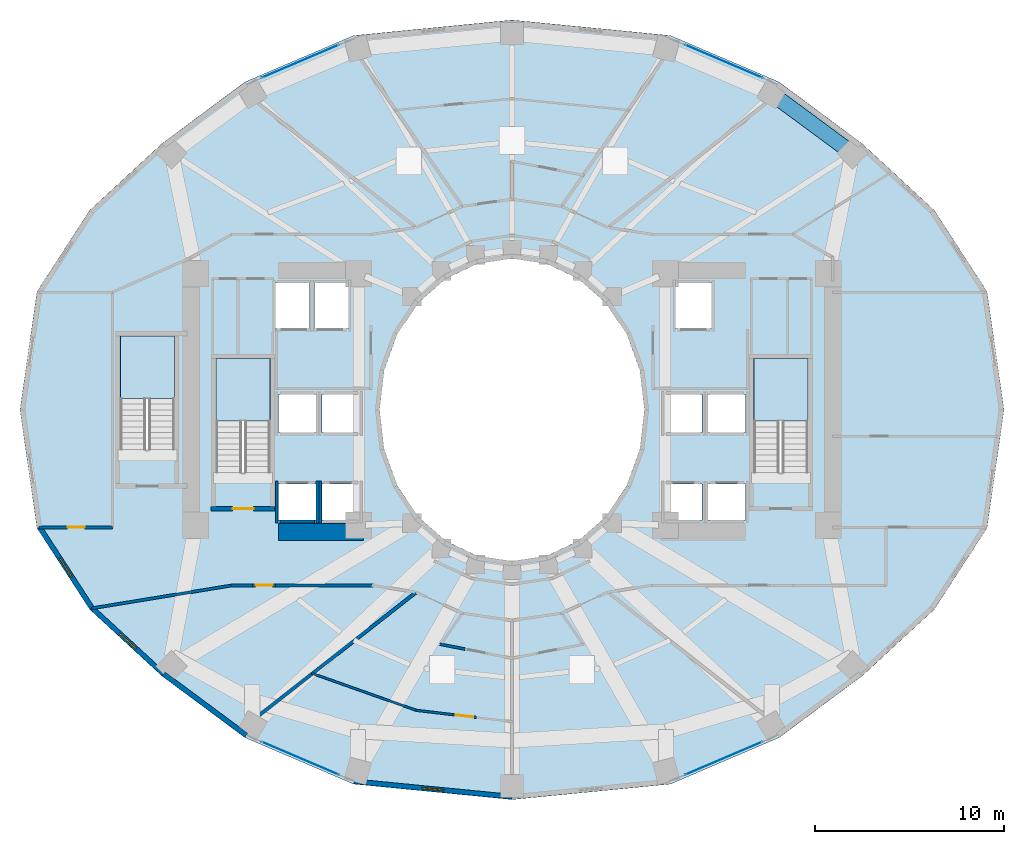
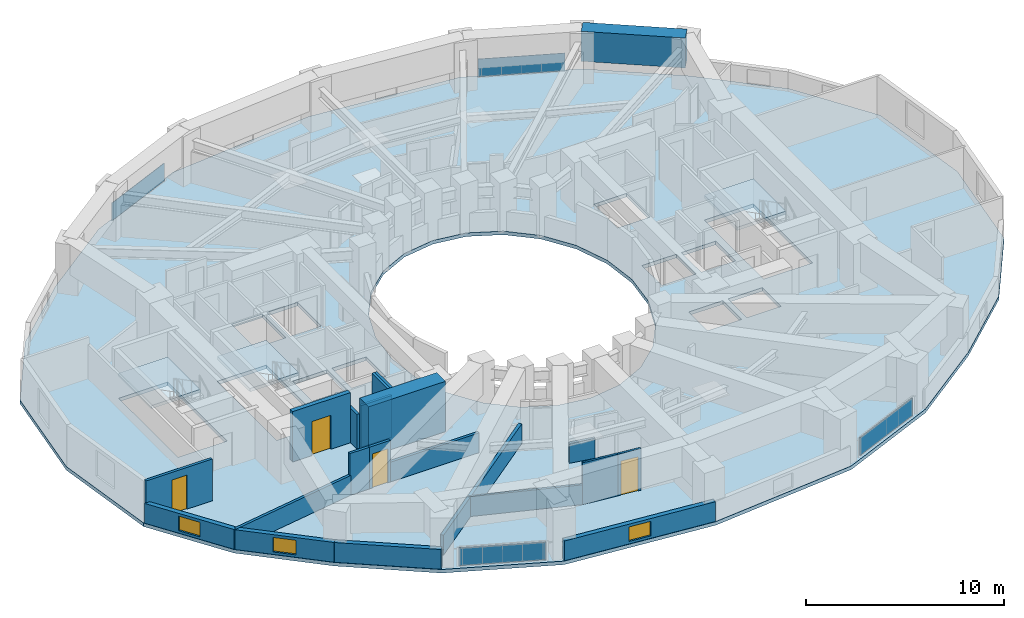
# One storey, part 8 of 16: 20 walls, 4 doors, 4 plates, 4 slabs, 3 windows, 1 beam, 7 openings, 7 elements without a shape of their own.
"""IFC4 building model written with IfcOpenShell, lengths in metres."""

from ifc_helpers import new_model, si_unit, direction, frame, frame_2d, origin, origin_2d, place, context, subcontext, project, spatial, polyline, rectangle, outline, extrude, material, layer, layer_set, material_profile, profile_set, type_object, element, fill, aggregate, save


model = new_model("IFC4")

# Units and contexts
model_context = context("Model", 3, precision=1e-05, world=origin(), true_north=direction((0.0, 1.0)))
body_context = subcontext(model_context, "Body", "Model", "MODEL_VIEW")
ifc_project = project(units=[si_unit("LENGTHUNIT", "METRE"), si_unit("AREAUNIT", "SQUARE_METRE"), si_unit("VOLUMEUNIT", "CUBIC_METRE"), si_unit("PLANEANGLEUNIT", "RADIAN"), si_unit("MASSUNIT", "GRAM", prefix="KILO")], contexts=[model_context])

# Site, building, storey
site_placement = place(None, origin())
site = spatial("IfcSite", under=ifc_project, at=site_placement, CompositionType="ELEMENT")
building_placement = place(site_placement, origin())
building = spatial("IfcBuilding", under=site, at=building_placement, Name="Solvane Sanctuary Tower", CompositionType="ELEMENT")
storey_placement = place(building_placement, frame((0.0, 0.0, 33.800048828125)))
storey = spatial("IfcBuildingStorey", under=building, at=storey_placement, Name="L09", CompositionType="ELEMENT", Elevation=33.800048828125)

# Beam
ifc_material_1 = material(Name="Concrete C70/85", Category="concrete")
ifc_material_profile = material_profile(ifc_material_1, rectangle(XDim=0.800048828125, YDim=1.85009765625, at=origin_2d()), Name="RC800X1850")
ifc_profile_set = profile_set([ifc_material_profile], Name="Concrete C70/85")
beam_type = type_object("IfcBeamType", Name="Beam B-XFER-BLK RC800X1850", PredefinedType="BEAM", material=ifc_profile_set)
beam_placement = place(storey_placement, frame((45.727294921875, 39.7041015625, 2.175048828125), z_axis=(0.804316795513, -0.594200717313, 0.0), x_axis=(0.594200717313, 0.804316795513, 0.0)))
element("IfcBeam", 1, at=beam_placement, inside=storey, type_object=beam_type, Name="L09 Perimeter Step Transfer Ring NTC02-NTC01", PredefinedType="BEAM", context=body_context, shape_type="SweptSolid", body=[
    extrude(rectangle(XDim=0.800048828125, YDim=1.85009765625, at=origin_2d()), origin(), (0.0, 0.0, 1.0), 5.302001953125),
])

# Curtain wall, plate
ifc_material_2 = material(Name="Anodised Aluminium 6063-T6", Category="aluminium")
ifc_layer_1 = layer(ifc_material_2, 0.169921875, Name="Anodised Aluminium 6063-T6")
ifc_layer_set_1 = layer_set([ifc_layer_1], Name="Anodised Aluminium 6063-T6")
curtain_wall_type = type_object("IfcCurtainWallType", Name="Curtain Wall CW-FRIT-Z1", PredefinedType="NOTDEFINED", material=ifc_layer_set_1)
curtain_wall_1_placement = place(storey_placement, origin())
curtain_wall_1 = element("IfcCurtainWall", 2, at=curtain_wall_1_placement, inside=storey, type_object=curtain_wall_type, Name="L09 CW-FRIT-Z1 Facade Run 04", PredefinedType="NOTDEFINED")
ifc_material_3 = material(Name="Dark Ceramic-Fritted Low-E Glass", Category="glass")
ifc_layer_2 = layer(ifc_material_3, 0.031982421875, Name="Dark Ceramic-Fritted Low-E Glass")
ifc_layer_set_2 = layer_set([ifc_layer_2], Name="Dark Ceramic-Fritted Low-E Glass")
plate_type = type_object("IfcPlateType", Name="Plate PN-FRIT-VIS", PredefinedType="CURTAIN_PANEL", material=ifc_layer_set_2)
plate_1_placement = place(storey_placement, frame((43.18701171875, 41.41650390625, 0.06494140625), z_axis=(0.0, 0.0, 1.0), x_axis=(-0.919615259597, 0.392820282466, 0.0)))
plate_1 = element("IfcPlate", 3, at=plate_1_placement, type_object=plate_type, Name="CW-FRIT-Z1 panel 1.1", PredefinedType="CURTAIN_PANEL", context=body_context, shape_type="SweptSolid", body=[
    extrude(rectangle(XDim=4.41943359375, YDim=0.031982421875, at=origin_2d()), origin(), (0.0, 0.0, 1.0), 1.090087890625),
])
aggregate(curtain_wall_1, [plate_1])

curtain_wall_2_placement = place(storey_placement, origin())
curtain_wall_2 = element("IfcCurtainWall", 4, at=curtain_wall_2_placement, inside=storey, type_object=curtain_wall_type, Name="L09 CW-FRIT-Z1 Facade Run 07", PredefinedType="NOTDEFINED")
plate_2_placement = place(storey_placement, frame((20.81298828125, 41.41650390625, 0.06494140625), z_axis=(0.0, 0.0, 1.0), x_axis=(-0.919615259597, -0.392820282466, 0.0)))
plate_2 = element("IfcPlate", 5, at=plate_2_placement, type_object=plate_type, Name="CW-FRIT-Z1 panel 1.1", PredefinedType="CURTAIN_PANEL", context=body_context, shape_type="SweptSolid", body=[
    extrude(rectangle(XDim=4.41943359375, YDim=0.031982421875, at=origin_2d()), origin(), (0.0, 0.0, 1.0), 1.090087890625),
])
aggregate(curtain_wall_2, [plate_2])

curtain_wall_3_placement = place(storey_placement, origin())
curtain_wall_3 = element("IfcCurtainWall", 6, at=curtain_wall_3_placement, inside=storey, type_object=curtain_wall_type, Name="L09 CW-FRIT-Z1 Facade Run 16", PredefinedType="NOTDEFINED")
plate_3_placement = place(storey_placement, frame((20.81298828125, 4.58349609375, 0.06494140625), z_axis=(0.0, 0.0, 1.0), x_axis=(0.919615259597, -0.392820282466, 0.0)))
plate_3 = element("IfcPlate", 7, at=plate_3_placement, type_object=plate_type, Name="CW-FRIT-Z1 panel 1.1", PredefinedType="CURTAIN_PANEL", context=body_context, shape_type="SweptSolid", body=[
    extrude(rectangle(XDim=4.41943359375, YDim=0.031982421875, at=origin_2d()), origin(), (0.0, 0.0, 1.0), 1.090087890625),
])
aggregate(curtain_wall_3, [plate_3])

curtain_wall_4_placement = place(storey_placement, origin())
curtain_wall_4 = element("IfcCurtainWall", 8, at=curtain_wall_4_placement, inside=storey, type_object=curtain_wall_type, Name="L09 CW-FRIT-Z1 Facade Run 19", PredefinedType="NOTDEFINED")
plate_4_placement = place(storey_placement, frame((43.18701171875, 4.58349609375, 0.06494140625), z_axis=(0.0, 0.0, 1.0), x_axis=(0.919615259597, 0.392820282466, 0.0)))
plate_4 = element("IfcPlate", 9, at=plate_4_placement, type_object=plate_type, Name="CW-FRIT-Z1 panel 1.1", PredefinedType="CURTAIN_PANEL", context=body_context, shape_type="SweptSolid", body=[
    extrude(rectangle(XDim=4.41943359375, YDim=0.031982421875, at=origin_2d()), origin(), (0.0, 0.0, 1.0), 1.090087890625),
])
aggregate(curtain_wall_4, [plate_4])

# Stair, slab
ifc_material_4 = material(Name="Concrete C45/55", Category="concrete")
stair_type = type_object("IfcStairType", Name="Stair ST-TOW", PredefinedType="HALF_TURN_STAIR", material=ifc_material_4)
stair_1_placement = place(storey_placement, origin())
stair_1 = element("IfcStair", 10, at=stair_1_placement, inside=storey, type_object=stair_type, Name="L09 Exit Stair ST-1 West Core", PredefinedType="HALF_TURN_STAIR")
ifc_layer_3 = layer(ifc_material_4, 0.199951171875, Name="Concrete C45/55")
ifc_layer_set_3 = layer_set([ifc_layer_3], Name="Concrete C45/55")
slab_type_1 = type_object("IfcSlabType", Name="Slab SL-LAND-180", PredefinedType="LANDING", material=ifc_layer_set_3)
slab_1_placement = place(storey_placement, frame((0.0, 0.0, 1.349853515625)))
slab_1 = element("IfcSlab", 11, at=slab_1_placement, type_object=slab_type_1, Name="ST-1 landing 1", PredefinedType="LANDING", context=body_context, shape_type="SweptSolid", body=[
    extrude(outline(polyline([(19.219970703125, 22.39990234375), (19.219970703125, 25.699951171875), (16.360107421875, 25.699951171875), (16.360107421875, 22.39990234375), (19.219970703125, 22.39990234375)])), origin(), (0.0, 0.0, 1.0), 0.2001953125),
])
aggregate(stair_1, [slab_1])

stair_2_placement = place(storey_placement, origin())
stair_2 = element("IfcStair", 12, at=stair_2_placement, inside=storey, type_object=stair_type, Name="L09 Exit Stair ST-2 East Core", PredefinedType="HALF_TURN_STAIR")
slab_2_placement = place(storey_placement, frame((0.0, 0.0, 1.349853515625)))
slab_2 = element("IfcSlab", 13, at=slab_2_placement, type_object=slab_type_1, Name="ST-2 landing 1", PredefinedType="LANDING", context=body_context, shape_type="SweptSolid", body=[
    extrude(outline(polyline([(47.639892578125, 22.39990234375), (47.639892578125, 25.699951171875), (44.780029296875, 25.699951171875), (44.780029296875, 22.39990234375), (47.639892578125, 22.39990234375)])), origin(), (0.0, 0.0, 1.0), 0.2001953125),
])
aggregate(stair_2, [slab_2])

stair_3_placement = place(storey_placement, origin())
stair_3 = element("IfcStair", 14, at=stair_3_placement, inside=storey, type_object=stair_type, Name="L09 Exit Stair ST-3 Pilgrim Tower Stair", PredefinedType="HALF_TURN_STAIR")
slab_3_placement = place(storey_placement, frame((0.0, 0.0, 1.349853515625)))
slab_3 = element("IfcSlab", 15, at=slab_3_placement, type_object=slab_type_1, Name="ST-3 landing 1", PredefinedType="LANDING", context=body_context, shape_type="SweptSolid", body=[
    extrude(outline(polyline([(14.159912109375, 23.60009765625), (14.159912109375, 26.89990234375), (11.300048828125, 26.89990234375), (11.300048828125, 23.60009765625), (14.159912109375, 23.60009765625)])), origin(), (0.0, 0.0, 1.0), 0.2001953125),
])
aggregate(stair_3, [slab_3])

# Slab
ifc_layer_4 = layer(ifc_material_4, 0.219970703125, Name="Concrete C45/55")
ifc_layer_set_4 = layer_set([ifc_layer_4], Name="Concrete C45/55")
slab_type_2 = type_object("IfcSlabType", Name="Slab SL-TOW-220", PredefinedType="FLOOR", material=ifc_layer_set_4)
slab_4_placement = place(storey_placement, frame((0.0, 0.0, -0.219970703125)))
element("IfcSlab", 16, at=slab_4_placement, inside=storey, type_object=slab_type_2, Name="L09 Primary Structural Slab", PredefinedType="FLOOR", context=body_context, shape_type="SweptSolid", body=[
    extrude(outline(polyline([(58.0, 23.0), (57.101806640625, 29.25048828125), (54.31396484375, 33.5517578125), (50.504150390625, 37.066162109375), (46.1181640625, 40.322021484375), (40.376708984375, 42.77880859375), (32.0, 43.60009765625), (23.623291015625, 42.77880859375), (17.8818359375, 40.322021484375), (13.495849609375, 37.066162109375), (9.68603515625, 33.5517578125), (6.898193359375, 29.25048828125), (6.0, 23.0), (6.898193359375, 16.74951171875), (9.68603515625, 12.4482421875), (13.495849609375, 8.933837890625), (17.8818359375, 5.677978515625), (23.623291015625, 3.22119140625), (32.0, 2.39990234375), (40.376708984375, 3.22119140625), (46.1181640625, 5.677978515625), (50.504150390625, 8.933837890625), (54.31396484375, 12.4482421875), (57.101806640625, 16.74951171875), (58.0, 23.0)]), holes=[polyline([(38.761474609375, 20.929443359375), (38.062255859375, 19.0), (36.94970703125, 17.343017578125), (35.5, 16.07177734375), (33.811767578125, 15.272705078125), (32.0, 15.0), (30.188232421875, 15.272705078125), (28.5, 16.07177734375), (27.05029296875, 17.343017578125), (25.937744140625, 19.0), (25.238525390625, 20.929443359375), (25.0, 23.0), (25.238525390625, 25.070556640625), (25.937744140625, 27.0), (27.05029296875, 28.656982421875), (28.5, 29.92822265625), (30.188232421875, 30.727294921875), (32.0, 31.0), (33.811767578125, 30.727294921875), (35.5, 29.92822265625), (36.94970703125, 28.656982421875), (38.062255859375, 27.0), (38.761474609375, 25.070556640625), (39.0, 23.0), (38.761474609375, 20.929443359375)]), polyline([(16.360107421875, 19.699951171875), (16.360107421875, 25.699951171875), (19.219970703125, 25.699951171875), (19.219970703125, 19.699951171875), (16.360107421875, 19.699951171875)]), polyline([(44.780029296875, 19.699951171875), (44.780029296875, 25.699951171875), (47.639892578125, 25.699951171875), (47.639892578125, 19.699951171875), (44.780029296875, 19.699951171875)]), polyline([(11.300048828125, 20.89990234375), (11.300048828125, 26.89990234375), (14.159912109375, 26.89990234375), (14.159912109375, 20.89990234375), (11.300048828125, 20.89990234375)]), polyline([(19.64990234375, 19.080078125), (21.64990234375, 19.080078125), (21.64990234375, 17.179931640625), (19.64990234375, 17.179931640625), (19.64990234375, 19.080078125)]), polyline([(21.949951171875, 19.080078125), (23.949951171875, 19.080078125), (23.949951171875, 17.179931640625), (21.949951171875, 17.179931640625), (21.949951171875, 19.080078125)]), polyline([(40.050048828125, 19.080078125), (42.050048828125, 19.080078125), (42.050048828125, 17.179931640625), (40.050048828125, 17.179931640625), (40.050048828125, 19.080078125)]), polyline([(42.35009765625, 19.080078125), (44.35009765625, 19.080078125), (44.35009765625, 17.179931640625), (42.35009765625, 17.179931640625), (42.35009765625, 19.080078125)]), polyline([(19.64990234375, 23.800048828125), (21.64990234375, 23.800048828125), (21.64990234375, 21.800048828125), (19.64990234375, 21.800048828125), (19.64990234375, 23.800048828125)]), polyline([(42.35009765625, 23.800048828125), (44.35009765625, 23.800048828125), (44.35009765625, 21.800048828125), (42.35009765625, 21.800048828125), (42.35009765625, 23.800048828125)]), polyline([(21.949951171875, 23.800048828125), (23.949951171875, 23.800048828125), (23.949951171875, 21.800048828125), (21.949951171875, 21.800048828125), (21.949951171875, 23.800048828125)]), polyline([(40.050048828125, 23.800048828125), (42.050048828125, 23.800048828125), (42.050048828125, 21.800048828125), (40.050048828125, 21.800048828125), (40.050048828125, 23.800048828125)]), polyline([(19.5, 29.699951171875), (21.300048828125, 29.699951171875), (21.300048828125, 27.300048828125), (19.5, 27.300048828125), (19.5, 29.699951171875)]), polyline([(21.550048828125, 29.699951171875), (23.35009765625, 29.699951171875), (23.35009765625, 27.300048828125), (21.550048828125, 27.300048828125), (21.550048828125, 29.699951171875)]), polyline([(40.64990234375, 29.699951171875), (42.550048828125, 29.699951171875), (42.550048828125, 27.300048828125), (40.64990234375, 27.300048828125), (40.64990234375, 29.699951171875)])]), origin(), (0.0, 0.0, 1.0), 0.219970703125),
])

# Wall
ifc_layer_5 = layer(ifc_material_1, 0.89990234375, Name="Concrete C70/85")
ifc_layer_set_5 = layer_set([ifc_layer_5], Name="Concrete C70/85")
wall_type_1 = type_object("IfcWallType", Name="Wall W-CORE-900", PredefinedType="SHEAR", material=ifc_layer_set_5)
wall_1_placement = place(storey_placement, frame((19.64990234375, 16.550048828125, 0.0), z_axis=(0.0, 0.0, 1.0), x_axis=(1.0, 0.0, 0.0)))
element("IfcWall", 17, at=wall_1_placement, inside=storey, type_object=wall_type_1, Name="L09 Core Shear Wall WC-S", PredefinedType="SHEAR", context=body_context, shape_type="SweptSolid", body=[
    extrude(rectangle(XDim=4.5, YDim=0.89990234375, at=frame_2d((2.25, 0.0))), origin(), (0.0, 0.0, 1.0), 3.099853515625),
])

# Wall, opening, door
ifc_material_5 = material(Name="Acoustic Gypsum Partition Board")
ifc_layer_6 = layer(ifc_material_5, 0.14990234375, Name="Acoustic Gypsum Partition Board")
ifc_layer_set_6 = layer_set([ifc_layer_6], Name="Acoustic Gypsum Partition Board")
wall_type_2 = type_object("IfcWallType", Name="Wall W-CORR-150", PredefinedType="PARTITIONING", material=ifc_layer_set_6)
wall_2_placement = place(storey_placement, frame((7.013671875, 16.788330078125, 0.0), z_axis=(0.0, 0.0, 1.0), x_axis=(1.0, 0.0, 0.0)))
wall_2 = element("IfcWall", 18, at=wall_2_placement, inside=storey, type_object=wall_type_2, Name="L09 West Shoulder South Wall", PredefinedType="PARTITIONING", context=body_context, shape_type="SweptSolid", body=[
    extrude(rectangle(XDim=3.8662109375, YDim=0.14990234375, at=frame_2d((1.93310546875, 0.0))), origin(), (0.0, 0.0, 1.0), 2.574951171875),
])
opening_1_placement = place(wall_2_placement, frame((1.503173828125, 0.0, 0.0)))
opening_1 = element("IfcOpeningElement", 19, at=opening_1_placement, cuts=wall_2, Name="Opening D-L09-12", PredefinedType="OPENING", context=body_context, shape_type="SweptSolid", body=[
    extrude(rectangle(XDim=0.89990234375, YDim=2.10009765625, at=frame_2d((0.449951171875, 1.050048828125))), frame((0.0, 0.0849609375, 0.0), z_axis=(0.0, -1.0, 0.0), x_axis=(1.0, 0.0, 0.0)), (0.0, 0.0, 1.0), 0.169921875),
])
ifc_material_6 = material(Name="Engineered Tropical Hardwood", Category="wood")
door_type_1 = type_object("IfcDoorType", Name="Door D-WET-900", OperationType="NOTDEFINED", PredefinedType="DOOR", material=ifc_material_6)
door_1_placement = place(opening_1_placement, origin())
door_1 = element("IfcDoor", 20, at=door_1_placement, inside=storey, type_object=door_type_1, Name="L09 West Shoulder South Door", OperationType="SINGLE_SWING_RIGHT", OverallHeight=2.10009765625, OverallWidth=0.89990234375, PredefinedType="DOOR", context=body_context, shape_type="SweptSolid", body=[
    extrude(rectangle(XDim=0.89990234375, YDim=2.10009765625, at=frame_2d((0.449951171875, 1.050048828125))), frame((0.0, 0.02490234375, 0.0), z_axis=(0.0, -1.0, 0.0), x_axis=(1.0, 0.0, 0.0)), (0.0, 0.0, 1.0), 0.050048828125),
])
fill(opening_1, door_1)

# Wall
wall_3_placement = place(storey_placement, frame((17.14990234375, 13.719970703125, 0.0), z_axis=(0.0, 0.0, 1.0), x_axis=(1.0, 0.0, 0.0)))
element("IfcWall", 21, at=wall_3_placement, inside=storey, type_object=wall_type_2, Name="L09 SW Corner Corridor Wall", PredefinedType="PARTITIONING", context=body_context, shape_type="SweptSolid", body=[
    extrude(rectangle(XDim=1.14013671875, YDim=0.14990234375, at=frame_2d((0.570068359375, 0.0))), origin(), (0.0, 0.0, 1.0), 2.574951171875),
])

# Wall, opening, door
wall_4_placement = place(storey_placement, frame((18.2900390625, 13.719970703125, 0.0), z_axis=(0.0, 0.0, 1.0), x_axis=(1.0, 0.0, 0.0)))
wall_4 = element("IfcWall", 22, at=wall_4_placement, inside=storey, type_object=wall_type_2, Name="L09 SW Corner Corridor Wall", PredefinedType="PARTITIONING", context=body_context, shape_type="SweptSolid", body=[
    extrude(rectangle(XDim=1.219970703125, YDim=0.14990234375, at=frame_2d((0.60986328125, 0.0))), origin(), (0.0, 0.0, 1.0), 2.574951171875),
])
opening_2_placement = place(wall_4_placement, frame((0.159912109375, 0.0, 0.0)))
opening_2 = element("IfcOpeningElement", 23, at=opening_2_placement, cuts=wall_4, Name="Opening D-L09-16", PredefinedType="OPENING", context=body_context, shape_type="SweptSolid", body=[
    extrude(rectangle(XDim=0.89990234375, YDim=2.10009765625, at=frame_2d((0.449951171875, 1.050048828125))), frame((0.0, 0.0849609375, 0.0), z_axis=(0.0, -1.0, 0.0), x_axis=(1.0, 0.0, 0.0)), (0.0, 0.0, 1.0), 0.169921875),
])
door_2_placement = place(opening_2_placement, origin())
door_2 = element("IfcDoor", 24, at=door_2_placement, inside=storey, type_object=door_type_1, Name="L09 SW Corner Salon Door", OperationType="SINGLE_SWING_RIGHT", OverallHeight=2.10009765625, OverallWidth=0.89990234375, PredefinedType="DOOR", context=body_context, shape_type="SweptSolid", body=[
    extrude(rectangle(XDim=0.89990234375, YDim=2.10009765625, at=frame_2d((0.449951171875, 1.050048828125))), frame((0.0, 0.02490234375, 0.0), z_axis=(0.0, -1.0, 0.0), x_axis=(1.0, 0.0, 0.0)), (0.0, 0.0, 1.0), 0.050048828125),
])
fill(opening_2, door_2)

# Walls
wall_5_placement = place(storey_placement, frame((19.510009765625, 13.719970703125, 0.0), z_axis=(0.0, 0.0, 1.0), x_axis=(1.0, 0.0, 0.0)))
element("IfcWall", 25, at=wall_5_placement, inside=storey, type_object=wall_type_2, Name="L09 SW Corner Corridor Wall", PredefinedType="PARTITIONING", context=body_context, shape_type="SweptSolid", body=[
    extrude(rectangle(XDim=5.159912109375, YDim=0.14990234375, at=frame_2d((2.580078125, 0.0))), origin(), (0.0, 0.0, 1.0), 1.219970703125),
])
wall_6_placement = place(storey_placement, frame((17.249267578125, 13.72802734375, 0.0), z_axis=(0.0, 0.0, 1.0), x_axis=(-0.98693078372, -0.161144742846, 0.0)))
element("IfcWall", 26, at=wall_6_placement, inside=storey, type_object=wall_type_2, Name="L09 SW Corner Wing Wall", PredefinedType="PARTITIONING", context=body_context, shape_type="SweptSolid", body=[
    extrude(rectangle(XDim=7.55712890625, YDim=0.14990234375, at=frame_2d((3.778564453125, 0.0))), origin(), (0.0, 0.0, 1.0), 1.219970703125),
])

# Wall, opening, window
ifc_material_7 = material(Name="Precast concrete C40/50", Category="concrete")
ifc_layer_7 = layer(ifc_material_7, 0.260009765625, Name="Precast concrete C40/50")
ifc_layer_set_7 = layer_set([ifc_layer_7], Name="Precast concrete C40/50")
wall_type_3 = type_object("IfcWallType", Name="Wall W-EXT-250", PredefinedType="STANDARD", material=ifc_layer_set_7)
wall_7_placement = place(storey_placement, frame((7.033447265625, 16.794677734375, 0.0), z_axis=(0.0, 0.0, 1.0), x_axis=(0.544578722263, -0.838709732421, 0.0)))
wall_7 = element("IfcWall", 27, at=wall_7_placement, inside=storey, type_object=wall_type_3, Name="L09 Ceramic-Printed Facade Wall 13", PredefinedType="STANDARD", context=body_context, shape_type="SweptSolid", body=[
    extrude(rectangle(XDim=5.091552734375, YDim=0.260009765625, at=frame_2d((2.5458984375, 0.0))), origin(), (0.0, 0.0, 1.0), 1.219970703125),
])
opening_3_placement = place(wall_7_placement, frame((1.94580078125, 0.0, 0.14990234375)))
opening_3 = element("IfcOpeningElement", 28, at=opening_3_placement, cuts=wall_7, Name="Opening WN-OPER-1200", PredefinedType="OPENING", context=body_context, shape_type="SweptSolid", body=[
    extrude(rectangle(XDim=1.199951171875, YDim=0.89990234375, at=frame_2d((0.60009765625, 0.449951171875))), frame((0.0, 0.139892578125, 0.0), z_axis=(0.0, -1.0, 0.0), x_axis=(1.0, 0.0, 0.0)), (0.0, 0.0, 1.0), 0.280029296875),
])
window_type = type_object("IfcWindowType", Name="Window WN-OPER-1200", PartitioningType="SINGLE_PANEL", PredefinedType="WINDOW", material=ifc_material_3)
window_1_placement = place(opening_3_placement, origin())
window_1 = element("IfcWindow", 29, at=window_1_placement, inside=storey, type_object=window_type, Name="L09 Operable Facade Window 13", OverallHeight=0.89990234375, OverallWidth=1.199951171875, PartitioningType="SINGLE_PANEL", PredefinedType="WINDOW", context=body_context, shape_type="SweptSolid", body=[
    extrude(rectangle(XDim=1.199951171875, YDim=0.89990234375, at=frame_2d((0.60009765625, 0.449951171875))), frame((0.0, 0.030029296875, 0.0), z_axis=(0.0, -1.0, 0.0), x_axis=(1.0, 0.0, 0.0)), (0.0, 0.0, 1.0), 0.06005859375),
])
fill(opening_3, window_1)

wall_8_placement = place(storey_placement, frame((9.80615234375, 12.5244140625, 0.0), z_axis=(0.0, 0.0, 1.0), x_axis=(0.735655109293, -0.67735630223, 0.0)))
wall_8 = element("IfcWall", 30, at=wall_8_placement, inside=storey, type_object=wall_type_3, Name="L09 Ceramic-Printed Facade Wall 14", PredefinedType="STANDARD", context=body_context, shape_type="SweptSolid", body=[
    extrude(rectangle(XDim=5.15087890625, YDim=0.260009765625, at=frame_2d((2.575439453125, 0.0))), origin(), (0.0, 0.0, 1.0), 1.219970703125),
])
opening_4_placement = place(wall_8_placement, frame((1.9755859375, 0.0, 0.14990234375)))
opening_4 = element("IfcOpeningElement", 31, at=opening_4_placement, cuts=wall_8, Name="Opening WN-OPER-1200", PredefinedType="OPENING", context=body_context, shape_type="SweptSolid", body=[
    extrude(rectangle(XDim=1.199951171875, YDim=0.89990234375, at=frame_2d((0.60009765625, 0.449951171875))), frame((0.0, 0.139892578125, 0.0), z_axis=(0.0, -1.0, 0.0), x_axis=(1.0, 0.0, 0.0)), (0.0, 0.0, 1.0), 0.280029296875),
])
window_2_placement = place(opening_4_placement, origin())
window_2 = element("IfcWindow", 32, at=window_2_placement, inside=storey, type_object=window_type, Name="L09 Operable Facade Window 14", OverallHeight=0.89990234375, OverallWidth=1.199951171875, PartitioningType="SINGLE_PANEL", PredefinedType="WINDOW", context=body_context, shape_type="SweptSolid", body=[
    extrude(rectangle(XDim=1.199951171875, YDim=0.89990234375, at=frame_2d((0.60009765625, 0.449951171875))), frame((0.0, 0.030029296875, 0.0), z_axis=(0.0, -1.0, 0.0), x_axis=(1.0, 0.0, 0.0)), (0.0, 0.0, 1.0), 0.06005859375),
])
fill(opening_4, window_2)

# Wall
wall_9_placement = place(storey_placement, frame((13.595458984375, 9.035400390625, 0.0), z_axis=(0.0, 0.0, 1.0), x_axis=(0.803477531792, -0.595335078679, 0.0)))
element("IfcWall", 33, at=wall_9_placement, inside=storey, type_object=wall_type_3, Name="L09 Ceramic-Printed Facade Wall 15", PredefinedType="STANDARD", context=body_context, shape_type="SweptSolid", body=[
    extrude(rectangle(XDim=5.4296875, YDim=0.260009765625, at=frame_2d((2.71484375, 0.0))), origin(), (0.0, 0.0, 1.0), 1.219970703125),
])

# Wall, opening, window
wall_10_placement = place(storey_placement, frame((23.668212890625, 3.36376953125, 0.0), z_axis=(0.0, 0.0, 1.0), x_axis=(0.995247718352, -0.097375454379, 0.0)))
wall_10 = element("IfcWall", 34, at=wall_10_placement, inside=storey, type_object=wall_type_3, Name="L09 Ceramic-Printed Facade Wall 17", PredefinedType="STANDARD", context=body_context, shape_type="SweptSolid", body=[
    extrude(rectangle(XDim=8.37158203125, YDim=0.260009765625, at=frame_2d((4.185791015625, 0.0))), origin(), (0.0, 0.0, 1.0), 1.219970703125),
])
opening_5_placement = place(wall_10_placement, frame((3.585693359375, 0.0, 0.14990234375)))
opening_5 = element("IfcOpeningElement", 35, at=opening_5_placement, cuts=wall_10, Name="Opening WN-OPER-1200", PredefinedType="OPENING", context=body_context, shape_type="SweptSolid", body=[
    extrude(rectangle(XDim=1.199951171875, YDim=0.89990234375, at=frame_2d((0.60009765625, 0.449951171875))), frame((0.0, 0.139892578125, 0.0), z_axis=(0.0, -1.0, 0.0), x_axis=(1.0, 0.0, 0.0)), (0.0, 0.0, 1.0), 0.280029296875),
])
window_3_placement = place(opening_5_placement, origin())
window_3 = element("IfcWindow", 36, at=window_3_placement, inside=storey, type_object=window_type, Name="L09 Operable Facade Window 17", OverallHeight=0.89990234375, OverallWidth=1.199951171875, PartitioningType="SINGLE_PANEL", PredefinedType="WINDOW", context=body_context, shape_type="SweptSolid", body=[
    extrude(rectangle(XDim=1.199951171875, YDim=0.89990234375, at=frame_2d((0.60009765625, 0.449951171875))), frame((0.0, 0.030029296875, 0.0), z_axis=(0.0, -1.0, 0.0), x_axis=(1.0, 0.0, 0.0)), (0.0, 0.0, 1.0), 0.06005859375),
])
fill(opening_5, window_3)

# Walls
ifc_layer_8 = layer(ifc_material_5, 0.1201171875, Name="Acoustic Gypsum Partition Board")
ifc_layer_set_8 = layer_set([ifc_layer_8], Name="Acoustic Gypsum Partition Board")
wall_type_4 = type_object("IfcWallType", Name="Wall W-MOV-100", PredefinedType="MOVABLE", material=ifc_layer_set_8)
wall_11_placement = place(storey_placement, frame((21.406005859375, 9.08056640625, 0.0), z_axis=(0.0, 0.0, 1.0), x_axis=(0.942625048334, -0.333853288517, 0.0)))
element("IfcWall", 37, at=wall_11_placement, inside=storey, type_object=wall_type_4, Name="L09 Suite Sitting Lounge Partition S1", PredefinedType="MOVABLE", context=body_context, shape_type="SweptSolid", body=[
    extrude(rectangle(XDim=5.88232421875, YDim=0.1201171875, at=frame_2d((2.941162109375, 0.0))), origin(), (0.0, 0.0, 1.0), 1.219970703125),
])
wall_12_placement = place(storey_placement, frame((26.931640625, 7.12109375, 0.0), z_axis=(0.0, 0.0, 1.0), x_axis=(0.993052427277, -0.117672752492, 0.0)))
element("IfcWall", 38, at=wall_12_placement, inside=storey, type_object=wall_type_4, Name="L09 Suite Sitting Lounge Partition S1", PredefinedType="MOVABLE", context=body_context, shape_type="SweptSolid", body=[
    extrude(rectangle(XDim=1.94189453125, YDim=0.1201171875, at=frame_2d((0.970947265625, 0.0))), origin(), (0.0, 0.0, 1.0), 2.574951171875),
])

# Wall, opening, door
wall_13_placement = place(storey_placement, frame((28.860107421875, 6.892578125, 0.0), z_axis=(0.0, 0.0, 1.0), x_axis=(0.993055805273, -0.11764424174, 0.0)))
wall_13 = element("IfcWall", 39, at=wall_13_placement, inside=storey, type_object=wall_type_4, Name="L09 Suite Sitting Lounge Partition S1", PredefinedType="MOVABLE", context=body_context, shape_type="SweptSolid", body=[
    extrude(rectangle(XDim=1.27001953125, YDim=0.1201171875, at=frame_2d((0.635009765625, 0.0))), origin(), (0.0, 0.0, 1.0), 2.574951171875),
])
opening_6_placement = place(wall_13_placement, frame((0.159912109375, 0.0, 0.0)))
opening_6 = element("IfcOpeningElement", 40, at=opening_6_placement, cuts=wall_13, Name="Opening D-L09-23", PredefinedType="OPENING", context=body_context, shape_type="SweptSolid", body=[
    extrude(rectangle(XDim=0.949951171875, YDim=2.10009765625, at=frame_2d((0.47509765625, 1.050048828125))), frame((0.0, 0.070068359375, 0.0), z_axis=(0.0, -1.0, 0.0), x_axis=(1.0, 0.0, 0.0)), (0.0, 0.0, 1.0), 0.14013671875),
])
door_type_2 = type_object("IfcDoorType", Name="Door D-ROOM-950", OperationType="NOTDEFINED", PredefinedType="DOOR", material=ifc_material_6)
door_3_placement = place(opening_6_placement, origin())
door_3 = element("IfcDoor", 41, at=door_3_placement, inside=storey, type_object=door_type_2, Name="L09 Suite Sitting Lounge Door S1", OperationType="SINGLE_SWING_LEFT", OverallHeight=2.10009765625, OverallWidth=0.949951171875, PredefinedType="DOOR", context=body_context, shape_type="SweptSolid", body=[
    extrude(rectangle(XDim=0.949951171875, YDim=2.10009765625, at=frame_2d((0.47509765625, 1.050048828125))), frame((0.0, 0.02490234375, 0.0), z_axis=(0.0, -1.0, 0.0), x_axis=(1.0, 0.0, 0.0)), (0.0, 0.0, 1.0), 0.050048828125),
])
fill(opening_6, door_3)

# Walls
ifc_material_8 = material(Name="Concrete C50/60", Category="concrete")
ifc_layer_9 = layer(ifc_material_8, 0.14990234375, Name="Concrete C50/60")
ifc_layer_set_9 = layer_set([ifc_layer_9], Name="Concrete C50/60")
wall_type_5 = type_object("IfcWallType", Name="Wall W-SHAFT-150", PredefinedType="SOLIDWALL", material=ifc_layer_set_9)
wall_14_placement = place(storey_placement, frame((19.739990234375, 17.10009765625, 0.0), z_axis=(0.0, 0.0, 1.0), x_axis=(1.0, 0.0, 0.0)))
element("IfcWall", 42, at=wall_14_placement, inside=storey, type_object=wall_type_5, Name="L09 PL-1 Lift Shaft Wall B", PredefinedType="SOLIDWALL", context=body_context, shape_type="SweptSolid", body=[
    extrude(rectangle(XDim=1.820068359375, YDim=0.14990234375, at=frame_2d((0.91015625, 0.0))), origin(), (0.0, 0.0, 1.0), 2.574951171875),
])
wall_15_placement = place(storey_placement, frame((19.570068359375, 17.02001953125, 0.0), z_axis=(0.0, 0.0, 1.0), x_axis=(0.0, 1.0, 0.0)))
element("IfcWall", 43, at=wall_15_placement, inside=storey, type_object=wall_type_5, Name="L09 PL-1 Lift Shaft Wall S1", PredefinedType="SOLIDWALL", context=body_context, shape_type="SweptSolid", body=[
    extrude(rectangle(XDim=2.219970703125, YDim=0.14990234375, at=frame_2d((1.10986328125, 0.0))), origin(), (0.0, 0.0, 1.0), 2.119873046875),
])
for number, where, z_axis, x_axis, name in (
    (44, (21.72998046875, 17.02001953125, 0.0), (0.0, 0.0, 1.0), (0.0, 1.0, 0.0), "L09 PL-1 Lift Shaft Wall S2"),
    (45, (21.8701171875, 17.02001953125, 0.0), (0.0, 0.0, 1.0), (0.0, 1.0, 0.0), "L09 PL-2 Lift Shaft Wall S1"),
):
    element("IfcWall", number, at=place(storey_placement, frame(where, z_axis=z_axis, x_axis=x_axis)), inside=storey, type_object=wall_type_5, Name=name, PredefinedType="SOLIDWALL", context=body_context, shape_type="SweptSolid", body=[
        extrude(rectangle(XDim=2.219970703125, YDim=0.14990234375, at=frame_2d((1.10986328125, 0.0))), origin(), (0.0, 0.0, 1.0), 2.574951171875),
    ])

# Wall, opening, door
ifc_layer_10 = layer(ifc_material_8, 0.25, Name="Concrete C50/60")
ifc_layer_set_10 = layer_set([ifc_layer_10], Name="Concrete C50/60")
wall_type_6 = type_object("IfcWallType", Name="Wall W-SHAFT-250", PredefinedType="SOLIDWALL", material=ifc_layer_set_10)
wall_16_placement = place(storey_placement, frame((16.10498046875, 17.77001953125, 0.0), z_axis=(0.0, 0.0, 1.0), x_axis=(1.0, 0.0, 0.0)))
wall_16 = element("IfcWall", 46, at=wall_16_placement, inside=storey, type_object=wall_type_6, Name="L09 ST-1 Load-Bearing Shaft Wall S", PredefinedType="SOLIDWALL", context=body_context, shape_type="SweptSolid", body=[
    extrude(rectangle(XDim=3.3701171875, YDim=0.25, at=frame_2d((1.68505859375, 0.0))), origin(), (0.0, 0.0, 1.0), 3.099853515625),
])
opening_7_placement = place(wall_16_placement, frame((1.135009765625, 0.0, 0.0)))
opening_7 = element("IfcOpeningElement", 47, at=opening_7_placement, cuts=wall_16, Name="Opening D-L09-01", PredefinedType="OPENING", context=body_context, shape_type="SweptSolid", body=[
    extrude(rectangle(XDim=1.10009765625, YDim=2.10009765625, at=frame_2d((0.550048828125, 1.050048828125))), frame((0.0, 0.135009765625, 0.0), z_axis=(0.0, -1.0, 0.0), x_axis=(1.0, 0.0, 0.0)), (0.0, 0.0, 1.0), 0.27001953125),
])
ifc_material_9 = material(Name="Architectural Stainless Steel 316", Category="steel")
door_type_3 = type_object("IfcDoorType", Name="Door D-STAIR", OperationType="NOTDEFINED", PredefinedType="DOOR", material=ifc_material_9)
door_4_placement = place(opening_7_placement, origin())
door_4 = element("IfcDoor", 48, at=door_4_placement, inside=storey, type_object=door_type_3, Name="L09 ST-1 Exit Stair Fire Door", OperationType="SINGLE_SWING_LEFT", OverallHeight=2.10009765625, OverallWidth=1.10009765625, PredefinedType="DOOR", context=body_context, shape_type="SweptSolid", body=[
    extrude(rectangle(XDim=1.10009765625, YDim=2.10009765625, at=frame_2d((0.550048828125, 1.050048828125))), frame((0.0, 0.02490234375, 0.0), z_axis=(0.0, -1.0, 0.0), x_axis=(1.0, 0.0, 0.0)), (0.0, 0.0, 1.0), 0.050048828125),
])
fill(opening_7, door_4)

# Walls
ifc_layer_11 = layer(ifc_material_5, 0.179931640625, Name="Acoustic Gypsum Partition Board")
ifc_layer_set_11 = layer_set([ifc_layer_11], Name="Acoustic Gypsum Partition Board")
wall_type_7 = type_object("IfcWallType", Name="Wall W-UNIT-180", PredefinedType="PARTITIONING", material=ifc_layer_set_11)
wall_17_placement = place(storey_placement, frame((26.8916015625, 13.3271484375, 0.0), z_axis=(0.0, 0.0, 1.0), x_axis=(-0.78700868866, -0.616941912966, 0.0)))
element("IfcWall", 49, at=wall_17_placement, inside=storey, type_object=wall_type_7, Name="L09 Radial Compartment Wall 240", PredefinedType="PARTITIONING", context=body_context, shape_type="SweptSolid", body=[
    extrude(rectangle(XDim=10.5830078125, YDim=0.179931640625, at=frame_2d((5.29150390625, 0.0))), origin(), (0.0, 0.0, 1.0), 1.219970703125),
])
ifc_layer_12 = layer(ifc_material_5, 0.139892578125, Name="Acoustic Gypsum Partition Board")
ifc_layer_set_12 = layer_set([ifc_layer_12], Name="Acoustic Gypsum Partition Board")
wall_type_8 = type_object("IfcWallType", Name="Wall W-WET-140", PredefinedType="PLUMBINGWALL", material=ifc_layer_set_12)
wall_18_placement = place(storey_placement, frame((28.19189453125, 10.613525390625, 0.0), z_axis=(0.0, 0.0, 1.0), x_axis=(0.981484809036, -0.191539994861, 0.0)))
element("IfcWall", 50, at=wall_18_placement, inside=storey, type_object=wall_type_8, Name="L09 En-suite Bedroom Wall S1", PredefinedType="PLUMBINGWALL", context=body_context, shape_type="SweptSolid", body=[
    extrude(rectangle(XDim=1.35498046875, YDim=0.139892578125, at=frame_2d((0.677490234375, 0.0))), origin(), (0.0, 0.0, 1.0), 1.219970703125),
])

save(model, "model.ifc")
